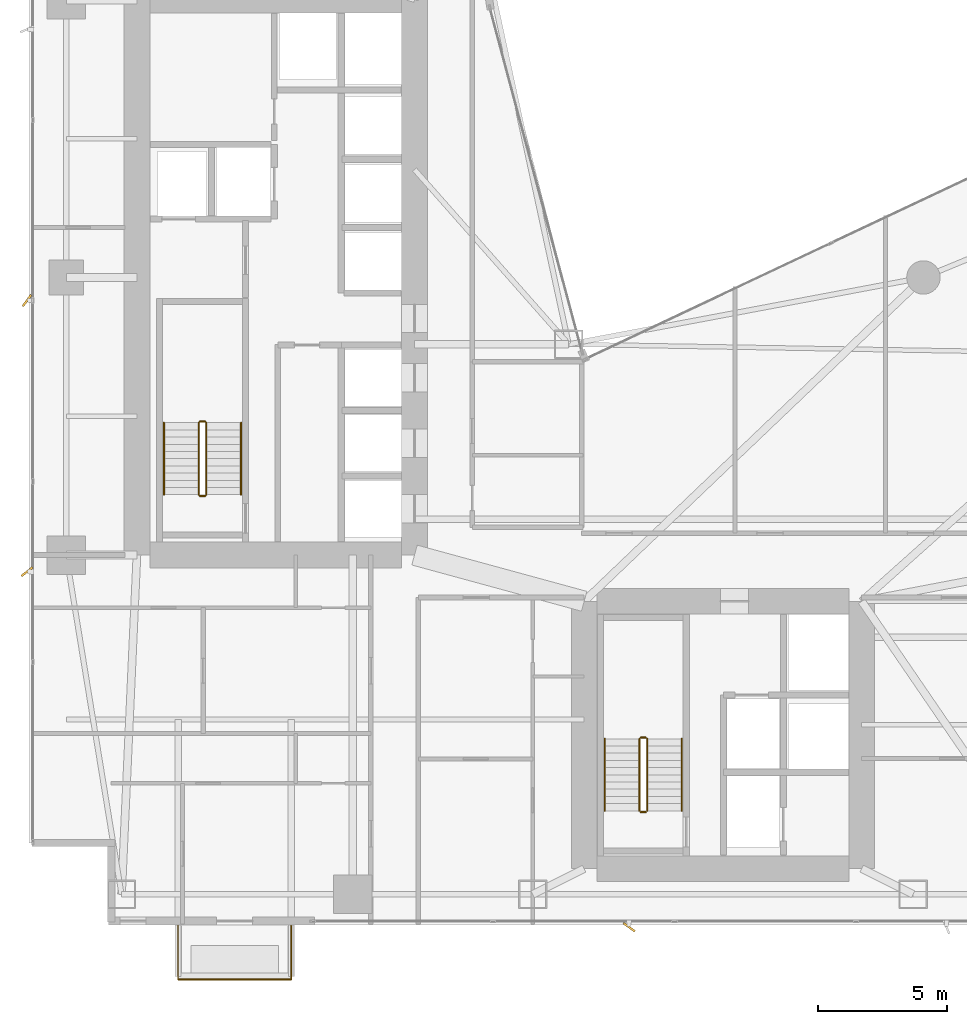
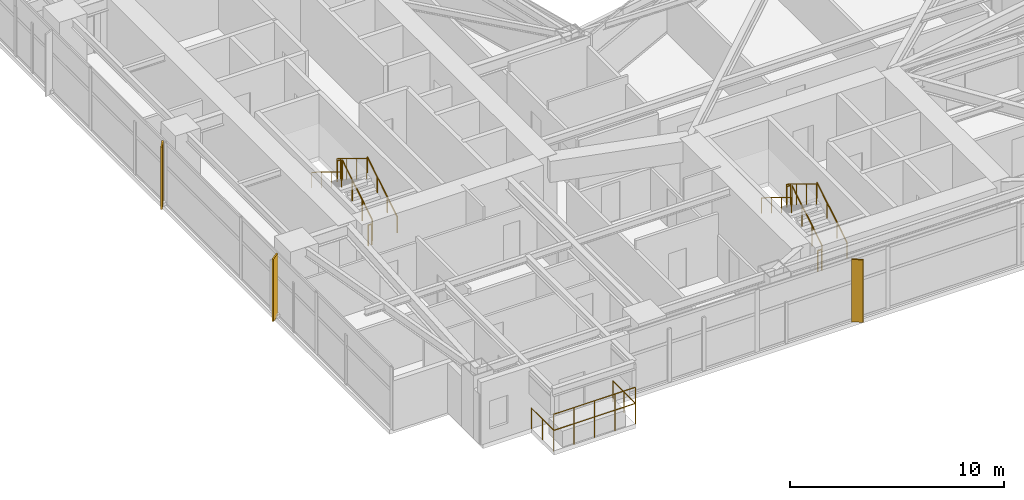
# One storey, part 28 of 29: 14 railings, 3 shading devices.
"""IFC4 building model written with IfcOpenShell, lengths in metres."""

from ifc_helpers import new_model, si_unit, direction, frame, origin, origin_2d, place, context, subcontext, project, spatial, rectangle, circle, extrude, material, type_object, element, save


model = new_model("IFC4")

# Units and contexts
model_context = context("Model", 3, precision=1e-05, world=origin(), true_north=direction((0.0, 1.0)))
body_context = subcontext(model_context, "Body", "Model", "MODEL_VIEW")
ifc_project = project(units=[si_unit("LENGTHUNIT", "METRE"), si_unit("AREAUNIT", "SQUARE_METRE"), si_unit("VOLUMEUNIT", "CUBIC_METRE"), si_unit("PLANEANGLEUNIT", "RADIAN"), si_unit("MASSUNIT", "GRAM", prefix="KILO")], contexts=[model_context])

# Site, building, storey
site_placement = place(None, origin())
site = spatial("IfcSite", under=ifc_project, at=site_placement, CompositionType="ELEMENT")
building_placement = place(site_placement, origin())
building = spatial("IfcBuilding", under=site, at=building_placement, Name="Calvorn Quay Hotel", CompositionType="ELEMENT")
storey_placement = place(building_placement, frame((0.0, 0.0, 58.39990234375)))
storey = spatial("IfcBuildingStorey", under=building, at=storey_placement, Name="L13", CompositionType="ELEMENT", Elevation=58.39990234375)

# Railings
ifc_material_1 = material(Name="Pale Anodised Aluminium and Laminated Glass", Category="aluminium")
railing_type_1 = type_object("IfcRailingType", Name="RLG-BALUSTRADE-1200", PredefinedType="BALUSTRADE", material=ifc_material_1)
railing_1_placement = place(storey_placement, frame((5.800048828125, 2.389892578125, 0.0)))
element("IfcRailing", 1, at=railing_1_placement, inside=storey, type_object=railing_type_1, Name="Tree Balcony Perimeter Balustrade L13-BALC-S", PredefinedType="BALUSTRADE", context=body_context, shape_type="SweptSolid", body=[
    extrude(circle(Radius=0.02392578125, at=origin_2d()), frame((0.0, 0.0, 1.17578125), z_axis=(0.0, -1.0, 0.0), x_axis=(1.0, 0.0, 0.0)), (0.0, 0.0, 1.0), 2.099853515625),
    extrude(circle(Radius=0.02392578125, at=origin_2d()), frame((0.0, -2.099853515625, 1.17578125), z_axis=(1.0, 0.0, 0.0), x_axis=(0.0, 1.0, 0.0)), (0.0, 0.0, 1.0), 4.39990234375),
    extrude(circle(Radius=0.02392578125, at=origin_2d()), frame((4.39990234375, -2.099853515625, 1.17578125), z_axis=(0.0, 1.0, 0.0), x_axis=(-1.0, 0.0, 0.0)), (0.0, 0.0, 1.0), 2.099853515625),
    extrude(circle(Radius=0.02099609375, at=origin_2d()), origin(), (0.0, 0.0, 1.0), 1.15185546875),
    extrude(circle(Radius=0.02099609375, at=origin_2d()), frame((0.0, -1.0498046875, 0.0)), (0.0, 0.0, 1.0), 1.15185546875),
    extrude(circle(Radius=0.02099609375, at=origin_2d()), frame((0.0, -2.099853515625, 0.0)), (0.0, 0.0, 1.0), 1.15185546875),
    extrude(circle(Radius=0.02099609375, at=origin_2d()), frame((1.10009765625, -2.099853515625, 0.0)), (0.0, 0.0, 1.0), 1.15185546875),
    extrude(circle(Radius=0.02099609375, at=origin_2d()), frame((2.199951171875, -2.099853515625, 0.0)), (0.0, 0.0, 1.0), 1.15185546875),
    extrude(circle(Radius=0.02099609375, at=origin_2d()), frame((3.2998046875, -2.099853515625, 0.0)), (0.0, 0.0, 1.0), 1.15185546875),
    extrude(circle(Radius=0.02099609375, at=origin_2d()), frame((4.39990234375, -2.099853515625, 0.0)), (0.0, 0.0, 1.0), 1.15185546875),
    extrude(circle(Radius=0.02099609375, at=origin_2d()), frame((4.39990234375, -1.0498046875, 0.0)), (0.0, 0.0, 1.0), 1.15185546875),
    extrude(circle(Radius=0.02099609375, at=origin_2d()), frame((4.39990234375, 0.0, 0.0)), (0.0, 0.0, 1.0), 1.15185546875),
])
railing_2_placement = place(storey_placement, frame((5.800048828125, 0.2900390625, 0.900146484375)))
element("IfcRailing", 2, at=railing_2_placement, inside=storey, type_object=railing_type_1, Name="Planter Kerb High Safety Screen L13-BALC-S", PredefinedType="BALUSTRADE", context=body_context, shape_type="SweptSolid", body=[
    extrude(circle(Radius=0.02392578125, at=origin_2d()), frame((0.0, 0.0, 1.19580078125), z_axis=(1.0, 0.0, 0.0), x_axis=(0.0, 1.0, 0.0)), (0.0, 0.0, 1.0), 4.39990234375),
    extrude(circle(Radius=0.02099609375, at=origin_2d()), origin(), (0.0, 0.0, 1.0), 1.171875),
    extrude(circle(Radius=0.02099609375, at=origin_2d()), frame((1.10009765625, 0.0, 0.0)), (0.0, 0.0, 1.0), 1.171875),
    extrude(circle(Radius=0.02099609375, at=origin_2d()), frame((2.199951171875, 0.0, 0.0)), (0.0, 0.0, 1.0), 1.171875),
    extrude(circle(Radius=0.02099609375, at=origin_2d()), frame((3.2998046875, 0.0, 0.0)), (0.0, 0.0, 1.0), 1.171875),
    extrude(circle(Radius=0.02099609375, at=origin_2d()), frame((4.39990234375, 0.0, 0.0)), (0.0, 0.0, 1.0), 1.171875),
])
ifc_material_2 = material(Name="Brushed Stainless Steel Handrail", Category="steel")
railing_type_2 = type_object("IfcRailingType", Name="RLG-HANDRAIL-900", PredefinedType="HANDRAIL", material=ifc_material_2)
railing_3_placement = place(storey_placement, frame((8.25, 19.14990234375, 0.1728515625)))
element("IfcRailing", 3, at=railing_3_placement, inside=storey, type_object=railing_type_2, Name="L13 ST-W stair handrail 1", PredefinedType="HANDRAIL", context=body_context, shape_type="SweptSolid", body=[
    extrude(circle(Radius=0.02392578125, at=origin_2d()), frame((0.0, 0.0, 0.8759765625), z_axis=(0.0, 0.851089632645, 0.525020415988), x_axis=(-1.0, 0.0, 0.0)), (0.0, 0.0, 1.0), 3.2900390625),
    extrude(circle(Radius=0.02099609375, at=origin_2d()), origin(), (0.0, 0.0, 1.0), 0.851806640625),
    extrude(circle(Radius=0.02099609375, at=origin_2d()), frame((0.0, 0.933349609375, 0.57568359375)), (0.0, 0.0, 1.0), 0.851806640625),
    extrude(circle(Radius=0.02099609375, at=origin_2d()), frame((0.0, 1.86669921875, 1.151611328125)), (0.0, 0.0, 1.0), 0.851806640625),
    extrude(circle(Radius=0.02099609375, at=origin_2d()), frame((0.0, 2.800048828125, 1.727294921875)), (0.0, 0.0, 1.0), 0.851806640625),
])
railing_4_placement = place(storey_placement, frame((5.25, 21.949951171875, 2.07275390625)))
element("IfcRailing", 4, at=railing_4_placement, inside=storey, type_object=railing_type_2, Name="L13 ST-W stair handrail 2", PredefinedType="HANDRAIL", context=body_context, shape_type="SweptSolid", body=[
    extrude(circle(Radius=0.02392578125, at=origin_2d()), frame((0.0, 0.0, 0.8759765625), z_axis=(0.0, -0.851089632645, 0.525020415988), x_axis=(1.0, 0.0, 0.0)), (0.0, 0.0, 1.0), 3.2900390625),
    extrude(circle(Radius=0.02099609375, at=origin_2d()), origin(), (0.0, 0.0, 1.0), 0.851806640625),
    extrude(circle(Radius=0.02099609375, at=origin_2d()), frame((0.0, -0.933349609375, 0.57568359375)), (0.0, 0.0, 1.0), 0.851806640625),
    extrude(circle(Radius=0.02099609375, at=origin_2d()), frame((0.0, -1.86669921875, 1.151611328125)), (0.0, 0.0, 1.0), 0.851806640625),
    extrude(circle(Radius=0.02099609375, at=origin_2d()), frame((0.0, -2.800048828125, 1.727294921875)), (0.0, 0.0, 1.0), 0.851806640625),
])
railing_5_placement = place(storey_placement, frame((25.39990234375, 6.85009765625, 0.1728515625)))
element("IfcRailing", 5, at=railing_5_placement, inside=storey, type_object=railing_type_2, Name="L13 ST-E stair handrail 1", PredefinedType="HANDRAIL", context=body_context, shape_type="SweptSolid", body=[
    extrude(circle(Radius=0.02392578125, at=origin_2d()), frame((0.0, 0.0, 0.8759765625), z_axis=(0.0, 0.851069175582, 0.525053576669), x_axis=(-1.0, 0.0, 0.0)), (0.0, 0.0, 1.0), 3.289794921875),
    extrude(circle(Radius=0.02099609375, at=origin_2d()), origin(), (0.0, 0.0, 1.0), 0.851806640625),
    extrude(circle(Radius=0.02099609375, at=origin_2d()), frame((0.0, 0.933349609375, 0.57568359375)), (0.0, 0.0, 1.0), 0.851806640625),
    extrude(circle(Radius=0.02099609375, at=origin_2d()), frame((0.0, 1.866455078125, 1.151611328125)), (0.0, 0.0, 1.0), 0.851806640625),
    extrude(circle(Radius=0.02099609375, at=origin_2d()), frame((0.0, 2.7998046875, 1.727294921875)), (0.0, 0.0, 1.0), 0.851806640625),
])
railing_6_placement = place(storey_placement, frame((22.39990234375, 9.64990234375, 2.07275390625)))
element("IfcRailing", 6, at=railing_6_placement, inside=storey, type_object=railing_type_2, Name="L13 ST-E stair handrail 2", PredefinedType="HANDRAIL", context=body_context, shape_type="SweptSolid", body=[
    extrude(circle(Radius=0.02392578125, at=origin_2d()), frame((0.0, 0.0, 0.8759765625), z_axis=(0.0, -0.851069175582, 0.525053576669), x_axis=(1.0, 0.0, 0.0)), (0.0, 0.0, 1.0), 3.289794921875),
    extrude(circle(Radius=0.02099609375, at=origin_2d()), origin(), (0.0, 0.0, 1.0), 0.851806640625),
    extrude(circle(Radius=0.02099609375, at=origin_2d()), frame((0.0, -0.933349609375, 0.57568359375)), (0.0, 0.0, 1.0), 0.851806640625),
    extrude(circle(Radius=0.02099609375, at=origin_2d()), frame((0.0, -1.866455078125, 1.151611328125)), (0.0, 0.0, 1.0), 0.851806640625),
    extrude(circle(Radius=0.02099609375, at=origin_2d()), frame((0.0, -2.7998046875, 1.727294921875)), (0.0, 0.0, 1.0), 0.851806640625),
])
ifc_material_3 = material(Name="Painted Galvanised Steel Balustrade", Category="steel")
railing_type_3 = type_object("IfcRailingType", Name="RLG-STAIR-GUARD-1120", PredefinedType="GUARDRAIL", material=ifc_material_3)
railing_7_placement = place(storey_placement, frame((6.89990234375, 19.14990234375, 0.1728515625)))
element("IfcRailing", 7, at=railing_7_placement, inside=storey, type_object=railing_type_3, Name="L13 ST-W stair guard 1", PredefinedType="GUARDRAIL", context=body_context, shape_type="SweptSolid", body=[
    extrude(circle(Radius=0.02392578125, at=origin_2d()), frame((0.0, 0.0, 1.17578125), z_axis=(0.0, 0.851089632645, 0.525020415988), x_axis=(-1.0, 0.0, 0.0)), (0.0, 0.0, 1.0), 3.2900390625),
    extrude(circle(Radius=0.02099609375, at=origin_2d()), origin(), (0.0, 0.0, 1.0), 1.15185546875),
    extrude(circle(Radius=0.02099609375, at=origin_2d()), frame((0.0, 0.933349609375, 0.57568359375)), (0.0, 0.0, 1.0), 1.15185546875),
    extrude(circle(Radius=0.02099609375, at=origin_2d()), frame((0.0, 1.86669921875, 1.151611328125)), (0.0, 0.0, 1.0), 1.15185546875),
    extrude(circle(Radius=0.02099609375, at=origin_2d()), frame((0.0, 2.800048828125, 1.727294921875)), (0.0, 0.0, 1.0), 1.15185546875),
])
railing_8_placement = place(storey_placement, frame((6.85009765625, 22.0, 1.900146484375)))
element("IfcRailing", 8, at=railing_8_placement, inside=storey, type_object=railing_type_3, Name="L13 ST-W stair guard 2", PredefinedType="GUARDRAIL", context=body_context, shape_type="SweptSolid", body=[
    extrude(circle(Radius=0.02392578125, at=origin_2d()), frame((0.0, 0.0, 1.17578125), z_axis=(-1.0, 0.0, 0.0), x_axis=(0.0, -1.0, 0.0)), (0.0, 0.0, 1.0), 0.2001953125),
    extrude(circle(Radius=0.02099609375, at=origin_2d()), origin(), (0.0, 0.0, 1.0), 1.15185546875),
    extrude(circle(Radius=0.02099609375, at=origin_2d()), frame((-0.2001953125, 0.0, 0.0)), (0.0, 0.0, 1.0), 1.15185546875),
])
railing_9_placement = place(storey_placement, frame((6.60009765625, 21.949951171875, 2.07275390625)))
element("IfcRailing", 9, at=railing_9_placement, inside=storey, type_object=railing_type_3, Name="L13 ST-W stair guard 3", PredefinedType="GUARDRAIL", context=body_context, shape_type="SweptSolid", body=[
    extrude(circle(Radius=0.02392578125, at=origin_2d()), frame((0.0, 0.0, 1.17578125), z_axis=(0.0, -0.851089632645, 0.525020415988), x_axis=(1.0, 0.0, 0.0)), (0.0, 0.0, 1.0), 3.2900390625),
    extrude(circle(Radius=0.02099609375, at=origin_2d()), origin(), (0.0, 0.0, 1.0), 1.15185546875),
    extrude(circle(Radius=0.02099609375, at=origin_2d()), frame((0.0, -0.933349609375, 0.57568359375)), (0.0, 0.0, 1.0), 1.15185546875),
    extrude(circle(Radius=0.02099609375, at=origin_2d()), frame((0.0, -1.86669921875, 1.151611328125)), (0.0, 0.0, 1.0), 1.15185546875),
    extrude(circle(Radius=0.02099609375, at=origin_2d()), frame((0.0, -2.800048828125, 1.727294921875)), (0.0, 0.0, 1.0), 1.15185546875),
])
railing_10_placement = place(storey_placement, frame((6.85009765625, 19.10009765625, 0.0)))
element("IfcRailing", 10, at=railing_10_placement, inside=storey, type_object=railing_type_3, Name="L13 ST-W stair guard 4", PredefinedType="GUARDRAIL", context=body_context, shape_type="SweptSolid", body=[
    extrude(circle(Radius=0.02392578125, at=origin_2d()), frame((0.0, 0.0, 1.17578125), z_axis=(-1.0, 0.0, 0.0), x_axis=(0.0, -1.0, 0.0)), (0.0, 0.0, 1.0), 0.2001953125),
    extrude(circle(Radius=0.02099609375, at=origin_2d()), origin(), (0.0, 0.0, 1.0), 1.15185546875),
    extrude(circle(Radius=0.02099609375, at=origin_2d()), frame((-0.2001953125, 0.0, 0.0)), (0.0, 0.0, 1.0), 1.15185546875),
])
railing_11_placement = place(storey_placement, frame((24.050048828125, 6.85009765625, 0.1728515625)))
element("IfcRailing", 11, at=railing_11_placement, inside=storey, type_object=railing_type_3, Name="L13 ST-E stair guard 1", PredefinedType="GUARDRAIL", context=body_context, shape_type="SweptSolid", body=[
    extrude(circle(Radius=0.02392578125, at=origin_2d()), frame((0.0, 0.0, 1.17578125), z_axis=(0.0, 0.851069175582, 0.525053576669), x_axis=(-1.0, 0.0, 0.0)), (0.0, 0.0, 1.0), 3.289794921875),
    extrude(circle(Radius=0.02099609375, at=origin_2d()), origin(), (0.0, 0.0, 1.0), 1.15185546875),
    extrude(circle(Radius=0.02099609375, at=origin_2d()), frame((0.0, 0.933349609375, 0.57568359375)), (0.0, 0.0, 1.0), 1.15185546875),
    extrude(circle(Radius=0.02099609375, at=origin_2d()), frame((0.0, 1.866455078125, 1.151611328125)), (0.0, 0.0, 1.0), 1.15185546875),
    extrude(circle(Radius=0.02099609375, at=origin_2d()), frame((0.0, 2.7998046875, 1.727294921875)), (0.0, 0.0, 1.0), 1.15185546875),
])
railing_12_placement = place(storey_placement, frame((24.0, 9.699951171875, 1.900146484375)))
element("IfcRailing", 12, at=railing_12_placement, inside=storey, type_object=railing_type_3, Name="L13 ST-E stair guard 2", PredefinedType="GUARDRAIL", context=body_context, shape_type="SweptSolid", body=[
    extrude(circle(Radius=0.02392578125, at=origin_2d()), frame((0.0, 0.0, 1.17578125), z_axis=(-1.0, 0.0, 0.0), x_axis=(0.0, -1.0, 0.0)), (0.0, 0.0, 1.0), 0.199951171875),
    extrude(circle(Radius=0.02099609375, at=origin_2d()), origin(), (0.0, 0.0, 1.0), 1.15185546875),
    extrude(circle(Radius=0.02099609375, at=origin_2d()), frame((-0.199951171875, 0.0, 0.0)), (0.0, 0.0, 1.0), 1.15185546875),
])
railing_13_placement = place(storey_placement, frame((23.75, 9.64990234375, 2.07275390625)))
element("IfcRailing", 13, at=railing_13_placement, inside=storey, type_object=railing_type_3, Name="L13 ST-E stair guard 3", PredefinedType="GUARDRAIL", context=body_context, shape_type="SweptSolid", body=[
    extrude(circle(Radius=0.02392578125, at=origin_2d()), frame((0.0, 0.0, 1.17578125), z_axis=(0.0, -0.851069175582, 0.525053576669), x_axis=(1.0, 0.0, 0.0)), (0.0, 0.0, 1.0), 3.289794921875),
    extrude(circle(Radius=0.02099609375, at=origin_2d()), origin(), (0.0, 0.0, 1.0), 1.15185546875),
    extrude(circle(Radius=0.02099609375, at=origin_2d()), frame((0.0, -0.933349609375, 0.57568359375)), (0.0, 0.0, 1.0), 1.15185546875),
    extrude(circle(Radius=0.02099609375, at=origin_2d()), frame((0.0, -1.866455078125, 1.151611328125)), (0.0, 0.0, 1.0), 1.15185546875),
    extrude(circle(Radius=0.02099609375, at=origin_2d()), frame((0.0, -2.7998046875, 1.727294921875)), (0.0, 0.0, 1.0), 1.15185546875),
])
railing_14_placement = place(storey_placement, frame((24.0, 6.800048828125, 0.0)))
element("IfcRailing", 14, at=railing_14_placement, inside=storey, type_object=railing_type_3, Name="L13 ST-E stair guard 4", PredefinedType="GUARDRAIL", context=body_context, shape_type="SweptSolid", body=[
    extrude(circle(Radius=0.02392578125, at=origin_2d()), frame((0.0, 0.0, 1.17578125), z_axis=(-1.0, 0.0, 0.0), x_axis=(0.0, -1.0, 0.0)), (0.0, 0.0, 1.0), 0.199951171875),
    extrude(circle(Radius=0.02099609375, at=origin_2d()), origin(), (0.0, 0.0, 1.0), 1.15185546875),
    extrude(circle(Radius=0.02099609375, at=origin_2d()), frame((-0.199951171875, 0.0, 0.0)), (0.0, 0.0, 1.0), 1.15185546875),
])

# Shading devices
ifc_material_4 = material(Name="Champagne Bronze Anodised Aluminium 6063-T6", Category="aluminium")
shading_device_type_1 = type_object("IfcShadingDeviceType", Name="SHD-FIN-A2", PredefinedType="USERDEFINED", material=ifc_material_4)
shading_device_placement = place(storey_placement, frame((-0.080078125, 16.14990234375, 0.0), z_axis=(0.0, 0.0, 1.0), x_axis=(0.788010753607, 0.615661475326, 0.0)))
element("IfcShadingDevice", 15, at=shading_device_placement, inside=storey, type_object=shading_device_type_1, Name="Diagonal Sun-Shading Fin L13-W01", ObjectType="FIN", PredefinedType="USERDEFINED", context=body_context, shape_type="SweptSolid", body=[
    extrude(rectangle(XDim=0.550048828125, YDim=0.080078125, at=origin_2d()), origin(), (0.0, 0.0, 1.0), 3.56005859375),
])
ifc_material_5 = material(Name="Champagne Bronze Anodised Aluminium 6063-T6", Category="aluminium")
shading_device_type_2 = type_object("IfcShadingDeviceType", Name="SHD-FIN-A3", PredefinedType="USERDEFINED", material=ifc_material_5)
for number, where, z_axis, x_axis, name in (
    (16, (-0.080078125, 26.699951171875, 0.0), (0.0, 0.0, 1.0), (0.587785252292, 0.809016994375, 0.0), "Diagonal Sun-Shading Fin L13-W02"),
    (17, (23.35009765625, 2.320068359375, 0.0), (0.0, 0.0, 1.0), (-0.809016994375, 0.587785252292, 0.0), "Diagonal Sun-Shading Fin L13-S01"),
):
    element("IfcShadingDevice", number, at=place(storey_placement, frame(where, z_axis=z_axis, x_axis=x_axis)), inside=storey, type_object=shading_device_type_2, Name=name, ObjectType="FIN", PredefinedType="USERDEFINED", context=body_context, shape_type="SweptSolid", body=[
        extrude(rectangle(XDim=0.550048828125, YDim=0.080078125, at=origin_2d()), origin(), (0.0, 0.0, 1.0), 3.56005859375),
    ])

save(model, "model.ifc")
